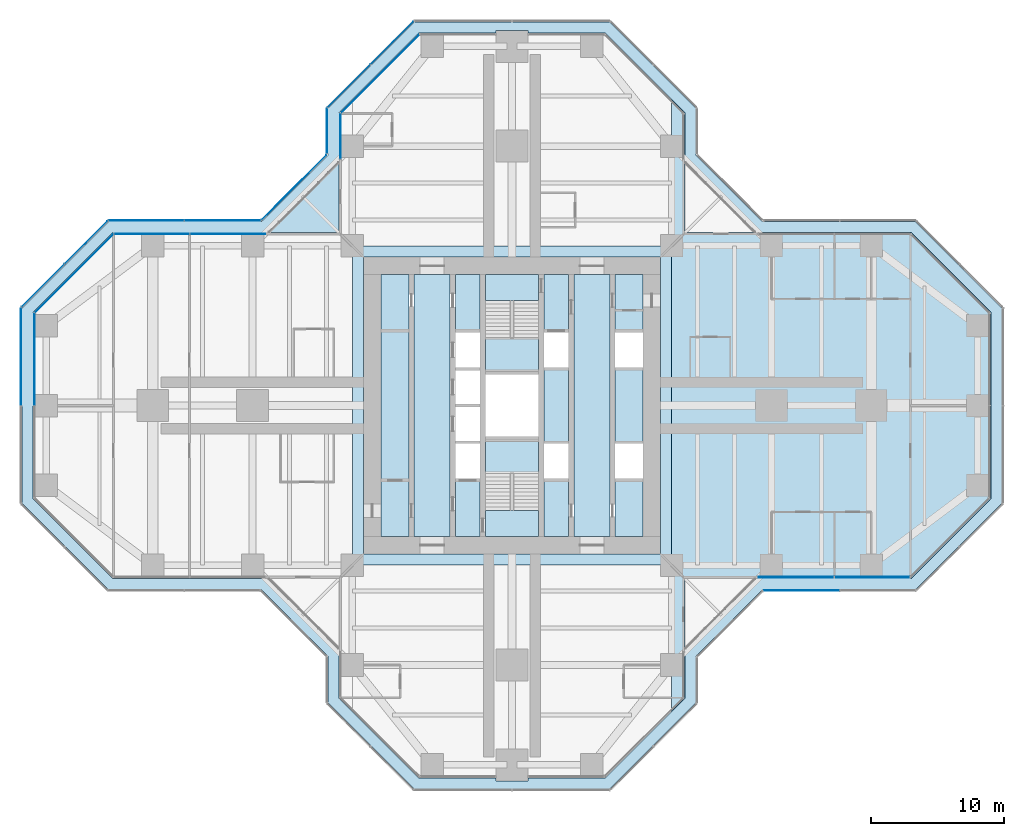
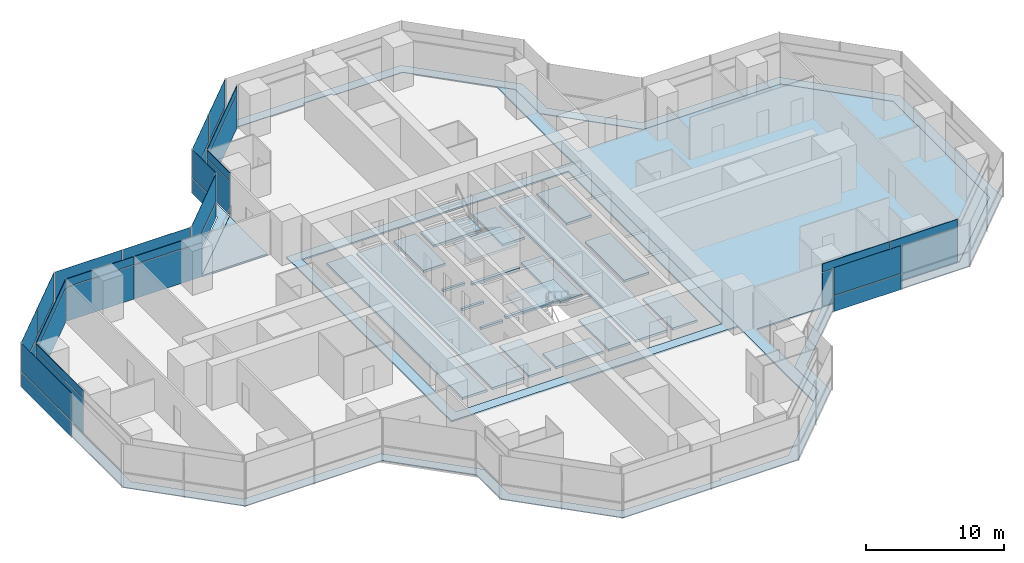
# One storey, part 13 of 20: 37 plates, 8 slabs, 15 elements without a shape of their own.
"""IFC4 building model written with IfcOpenShell, lengths in metres."""

from ifc_helpers import new_model, si_unit, direction, frame, origin, origin_2d, place, context, subcontext, project, spatial, polyline, rectangle, outline, extrude, material, layer, layer_set, type_object, element, aggregate, save


model = new_model("IFC4")

# Units and contexts
model_context = context("Model", 3, precision=1e-05, world=origin(), true_north=direction((0.0, 1.0)))
body_context = subcontext(model_context, "Body", "Model", "MODEL_VIEW")
ifc_project = project(units=[si_unit("LENGTHUNIT", "METRE"), si_unit("AREAUNIT", "SQUARE_METRE"), si_unit("VOLUMEUNIT", "CUBIC_METRE"), si_unit("PLANEANGLEUNIT", "RADIAN"), si_unit("MASSUNIT", "GRAM", prefix="KILO")], contexts=[model_context])

# Site, building, storey
site_placement = place(None, origin())
site = spatial("IfcSite", under=ifc_project, at=site_placement, CompositionType="ELEMENT")
building_placement = place(site_placement, origin())
building = spatial("IfcBuilding", under=site, at=building_placement, Name="Mizan Broadcast Tower", CompositionType="ELEMENT")
storey_placement = place(building_placement, frame((0.0, 0.0, 147.60009765625)))
storey = spatial("IfcBuildingStorey", under=building, at=storey_placement, Name="L33", CompositionType="ELEMENT", Elevation=147.60009765625)

# Plate
ifc_material_1 = material(Name="Aluminium grating", Category="aluminium")
ifc_layer_1 = layer(ifc_material_1, 0.050048828125)
ifc_layer_set_1 = layer_set([ifc_layer_1], Name="Aluminium grating")
plate_type_1 = type_object("IfcPlateType", Name="CAVITY GRATING", PredefinedType="USERDEFINED", material=ifc_layer_set_1)
plate_1_placement = place(storey_placement, frame((0.0, 0.0, -0.050048828125)))
element("IfcPlate", 1, at=plate_1_placement, inside=storey, type_object=plate_type_1, Name="Cavity grating L33", ObjectType="GRATING", PredefinedType="USERDEFINED", context=body_context, shape_type="SweptSolid", body=[
    extrude(outline(polyline([(13.820068359375, -18.839599609375), (18.839599609375, -13.820068359375), (30.339599609375, -13.820068359375), (36.820068359375, -7.339599609375), (36.820068359375, 7.339599609375), (30.339599609375, 13.820068359375), (18.839599609375, 13.820068359375), (13.820068359375, 18.839599609375), (13.820068359375, 22.339599609375), (7.339599609375, 28.820068359375), (-7.339599609375, 28.820068359375), (-13.820068359375, 22.339599609375), (-13.820068359375, 18.839599609375), (-18.839599609375, 13.820068359375), (-30.339599609375, 13.820068359375), (-36.820068359375, 7.339599609375), (-36.820068359375, -7.339599609375), (-30.339599609375, -13.820068359375), (-18.839599609375, -13.820068359375), (-13.820068359375, -18.839599609375), (-13.820068359375, -22.339599609375), (-7.339599609375, -28.820068359375), (7.339599609375, -28.820068359375), (13.820068359375, -22.339599609375), (13.820068359375, -18.839599609375)]), holes=[polyline([(36.0, 7.0), (36.0, -7.0), (30.0, -13.0), (18.5, -13.0), (13.0, -18.5), (13.0, -22.0), (7.0, -28.0), (1.199951171875, -28.0), (1.199951171875, -28.199951171875), (-1.199951171875, -28.199951171875), (-1.199951171875, -28.0), (-7.0, -28.0), (-13.0, -22.0), (-13.0, -18.5), (-18.5, -13.0), (-30.0, -13.0), (-36.0, -7.0), (-36.0, 7.0), (-30.0, 13.0), (-18.5, 13.0), (-13.0, 18.5), (-13.0, 22.0), (-7.0, 28.0), (-1.199951171875, 28.0), (-1.199951171875, 28.199951171875), (1.199951171875, 28.199951171875), (1.199951171875, 28.0), (7.0, 28.0), (13.0, 22.0), (13.0, 18.5), (18.5, 13.0), (30.0, 13.0), (36.0, 7.0)])]), origin(), (0.0, 0.0, 1.0), 0.050048828125),
])

# Slabs
ifc_material_2 = material(Name="Concrete C32/40", Category="concrete")
ifc_layer_2 = layer(ifc_material_2, 0.1298828125)
ifc_layer_set_2 = layer_set([ifc_layer_2], Name="Concrete C32/40")
slab_type_1 = type_object("IfcSlabType", Name="COMPOSITE DECK SLAB 130", PredefinedType="FLOOR", material=ifc_layer_set_2)
slab_1_placement = place(storey_placement, frame((0.0, 0.0, -0.130126953125)))
element("IfcSlab", 2, at=slab_1_placement, inside=storey, type_object=slab_type_1, Name="Floor slab L33 centre", PredefinedType="FLOOR", context=body_context, shape_type="SweptSolid", body=[
    extrude(outline(polyline([(-12.0, -12.0), (12.0, -12.0), (12.0, 12.0), (-12.0, 12.0), (-12.0, -12.0)]), holes=[polyline([(-11.14990234375, 11.14990234375), (11.14990234375, 11.14990234375), (11.14990234375, -11.14990234375), (-11.14990234375, -11.14990234375), (-11.14990234375, 11.14990234375)])]), origin(), (0.0, 0.0, 1.0), 0.130126953125),
])
slab_2_placement = place(storey_placement, frame((0.0, 0.0, -0.130126953125)))
element("IfcSlab", 3, at=slab_2_placement, inside=storey, type_object=slab_type_1, Name="Floor slab L33 east arm", PredefinedType="FLOOR", context=body_context, shape_type="SweptSolid", body=[
    extrude(outline(polyline([(12.0, -23.0), (13.0, -22.0), (13.0, -13.0), (30.0, -13.0), (36.0, -7.0), (36.0, 7.0), (30.0, 13.0), (13.0, 13.0), (13.0, 22.0), (12.0, 23.0), (12.0, -23.0)])), origin(), (0.0, 0.0, 1.0), 0.130126953125),
])
ifc_material_3 = material(Name="Concrete C40/50", Category="concrete")
ifc_layer_3 = layer(ifc_material_3, 0.199951171875)
ifc_layer_set_3 = layer_set([ifc_layer_3], Name="Concrete C40/50")
slab_type_2 = type_object("IfcSlabType", Name="CORE FLOOR 200", PredefinedType="FLOOR", material=ifc_layer_set_3)
slab_3_placement = place(storey_placement, frame((0.0, 0.0, -0.2001953125)))
element("IfcSlab", 4, at=slab_3_placement, inside=storey, type_object=slab_type_2, Name="Core floor L33", PredefinedType="FLOOR", context=body_context, shape_type="SweptSolid", body=[
    extrude(outline(polyline([(-9.85009765625, -9.85009765625), (-7.75, -9.85009765625), (-7.75, 9.85009765625), (-9.85009765625, 9.85009765625), (-9.85009765625, -9.85009765625)])), origin(), (0.0, 0.0, 1.0), 0.2001953125),
    extrude(outline(polyline([(-4.64990234375, 9.85009765625), (-7.35009765625, 9.85009765625), (-7.35009765625, -9.85009765625), (-4.64990234375, -9.85009765625), (-4.64990234375, 9.85009765625)])), origin(), (0.0, 0.0, 1.0), 0.2001953125),
    extrude(outline(polyline([(-4.25, -5.5), (-4.25, -9.85009765625), (-2.39990234375, -9.85009765625), (-2.39990234375, -5.5), (-4.25, -5.5)])), origin(), (0.0, 0.0, 1.0), 0.2001953125),
    extrude(outline(polyline([(-4.25, -2.85009765625), (-2.39990234375, -2.85009765625), (-2.39990234375, -2.64990234375), (-4.25, -2.64990234375), (-4.25, -2.85009765625)])), origin(), (0.0, 0.0, 1.0), 0.2001953125),
    extrude(outline(polyline([(-4.25, -0.10009765625), (-2.39990234375, -0.10009765625), (-2.39990234375, 0.10009765625), (-4.25, 0.10009765625), (-4.25, -0.10009765625)])), origin(), (0.0, 0.0, 1.0), 0.2001953125),
    extrude(outline(polyline([(-4.25, 2.64990234375), (-2.39990234375, 2.64990234375), (-2.39990234375, 2.85009765625), (-4.25, 2.85009765625), (-4.25, 2.64990234375)])), origin(), (0.0, 0.0, 1.0), 0.2001953125),
    extrude(outline(polyline([(-4.25, 5.5), (-2.39990234375, 5.5), (-2.39990234375, 9.85009765625), (-4.25, 9.85009765625), (-4.25, 5.5)])), origin(), (0.0, 0.0, 1.0), 0.2001953125),
    extrude(outline(polyline([(2.0, -2.324951171875), (-2.0, -2.324951171875), (-2.0, -2.574951171875), (2.0, -2.574951171875), (2.0, -2.324951171875)])), origin(), (0.0, 0.0, 1.0), 0.2001953125),
    extrude(outline(polyline([(2.0, 2.574951171875), (-2.0, 2.574951171875), (-2.0, 2.324951171875), (2.0, 2.324951171875), (2.0, 2.574951171875)])), origin(), (0.0, 0.0, 1.0), 0.2001953125),
    extrude(outline(polyline([(4.25, -9.85009765625), (4.25, -5.5), (2.39990234375, -5.5), (2.39990234375, -9.85009765625), (4.25, -9.85009765625)])), origin(), (0.0, 0.0, 1.0), 0.2001953125),
    extrude(outline(polyline([(4.25, -2.85009765625), (4.25, 2.85009765625), (2.39990234375, 2.85009765625), (2.39990234375, -2.85009765625), (4.25, -2.85009765625)])), origin(), (0.0, 0.0, 1.0), 0.2001953125),
    extrude(outline(polyline([(4.25, 5.5), (4.25, 9.85009765625), (2.39990234375, 9.85009765625), (2.39990234375, 5.5), (4.25, 5.5)])), origin(), (0.0, 0.0, 1.0), 0.2001953125),
    extrude(outline(polyline([(4.64990234375, 9.85009765625), (4.64990234375, -9.85009765625), (7.35009765625, -9.85009765625), (7.35009765625, 9.85009765625), (4.64990234375, 9.85009765625)])), origin(), (0.0, 0.0, 1.0), 0.2001953125),
    extrude(outline(polyline([(9.85009765625, -9.85009765625), (9.85009765625, -5.5), (7.75, -5.5), (7.75, -9.85009765625), (9.85009765625, -9.85009765625)])), origin(), (0.0, 0.0, 1.0), 0.2001953125),
    extrude(outline(polyline([(7.75, -2.85009765625), (9.85009765625, -2.85009765625), (9.85009765625, 2.85009765625), (7.75, 2.85009765625), (7.75, -2.85009765625)])), origin(), (0.0, 0.0, 1.0), 0.2001953125),
    extrude(outline(polyline([(9.85009765625, 5.5), (9.85009765625, 9.85009765625), (7.75, 9.85009765625), (7.75, 5.5), (9.85009765625, 5.5)])), origin(), (0.0, 0.0, 1.0), 0.2001953125),
])

# Curtain wall, plates
ifc_material_4 = material(Name="Aluminium framed glazing", Category="aluminium")
curtain_wall_type_1 = type_object("IfcCurtainWallType", Name="INNER SKIN MID ZONE", PredefinedType="USERDEFINED", material=ifc_material_4)
curtain_wall_1_placement = place(storey_placement, origin())
curtain_wall_1 = element("IfcCurtainWall", 5, at=curtain_wall_1_placement, inside=storey, type_object=curtain_wall_type_1, Name="Inner skin mid zone L33 E side", ObjectType="INNER SKIN MID ZONE", PredefinedType="USERDEFINED")
ifc_material_5 = material(Name="Double glazing, clear low-e", Category="glass")
ifc_layer_4 = layer(ifc_material_5, 0.028076171875)
ifc_layer_set_4 = layer_set([ifc_layer_4], Name="Double glazing, clear low-e")
plate_type_2 = type_object("IfcPlateType", Name="INNER SKIN GLAZING UNIT", PredefinedType="CURTAIN_PANEL", material=ifc_layer_set_4)
plate_2_placement = place(storey_placement, frame((21.379638671875, -12.89990234375, 0.0), z_axis=(0.0, 0.0, 1.0), x_axis=(1.0, 0.0, 0.0)))
plate_2 = element("IfcPlate", 6, at=plate_2_placement, type_object=plate_type_2, Name="Inner skin mid zone L33 E side panel 1.1", PredefinedType="CURTAIN_PANEL", context=body_context, shape_type="SweptSolid", body=[
    extrude(rectangle(XDim=5.639404296875, YDim=0.028076171875, at=origin_2d()), origin(), (0.0, 0.0, 1.0), 3.0),
])
plate_3_placement = place(storey_placement, frame((27.078857421875, -12.89990234375, 0.0), z_axis=(0.0, 0.0, 1.0), x_axis=(1.0, 0.0, 0.0)))
plate_3 = element("IfcPlate", 7, at=plate_3_placement, type_object=plate_type_2, Name="Inner skin mid zone L33 E side panel 2.1", PredefinedType="CURTAIN_PANEL", context=body_context, shape_type="SweptSolid", body=[
    extrude(rectangle(XDim=5.639404296875, YDim=0.028076171875, at=origin_2d()), origin(), (0.0, 0.0, 1.0), 3.0),
])

# Curtain wall, plate
curtain_wall_2_placement = place(storey_placement, origin())
curtain_wall_2 = element("IfcCurtainWall", 8, at=curtain_wall_2_placement, inside=storey, type_object=curtain_wall_type_1, Name="Inner skin mid zone L33 N chamfer", ObjectType="INNER SKIN MID ZONE", PredefinedType="USERDEFINED")
plate_4_placement = place(storey_placement, frame((-9.92919921875, 24.92919921875, 0.0), z_axis=(0.0, 0.0, 1.0), x_axis=(-0.707106781187, -0.707106781187, 0.0)))
plate_4 = element("IfcPlate", 9, at=plate_4_placement, type_object=plate_type_2, Name="Inner skin mid zone L33 N chamfer panel 1.1", PredefinedType="CURTAIN_PANEL", context=body_context, shape_type="SweptSolid", body=[
    extrude(rectangle(XDim=8.282470703125, YDim=0.028076171875, at=origin_2d()), origin(), (0.0, 0.0, 1.0), 3.0),
])

curtain_wall_3_placement = place(storey_placement, origin())
curtain_wall_3 = element("IfcCurtainWall", 10, at=curtain_wall_3_placement, inside=storey, type_object=curtain_wall_type_1, Name="Inner skin mid zone L33 N side", ObjectType="INNER SKIN MID ZONE", PredefinedType="USERDEFINED")
plate_5_placement = place(storey_placement, frame((-12.89990234375, 20.229248046875, 0.0), z_axis=(0.0, 0.0, 1.0), x_axis=(0.0, -1.0, 0.0)))
plate_5 = element("IfcPlate", 11, at=plate_5_placement, type_object=plate_type_2, Name="Inner skin mid zone L33 N side panel 1.1", PredefinedType="CURTAIN_PANEL", context=body_context, shape_type="SweptSolid", body=[
    extrude(rectangle(XDim=3.338623046875, YDim=0.028076171875, at=origin_2d()), origin(), (0.0, 0.0, 1.0), 3.0),
])

# Curtain wall, plates
curtain_wall_4_placement = place(storey_placement, origin())
curtain_wall_4 = element("IfcCurtainWall", 12, at=curtain_wall_4_placement, inside=storey, type_object=curtain_wall_type_1, Name="Inner skin mid zone L33 W side", ObjectType="INNER SKIN MID ZONE", PredefinedType="USERDEFINED")
plate_6_placement = place(storey_placement, frame((-21.379638671875, 12.89990234375, 0.0), z_axis=(0.0, 0.0, 1.0), x_axis=(-1.0, 0.0, 0.0)))
plate_6 = element("IfcPlate", 13, at=plate_6_placement, type_object=plate_type_2, Name="Inner skin mid zone L33 W side panel 1.1", PredefinedType="CURTAIN_PANEL", context=body_context, shape_type="SweptSolid", body=[
    extrude(rectangle(XDim=5.639404296875, YDim=0.028076171875, at=origin_2d()), origin(), (0.0, 0.0, 1.0), 3.0),
])
plate_7_placement = place(storey_placement, frame((-27.078857421875, 12.89990234375, 0.0), z_axis=(0.0, 0.0, 1.0), x_axis=(-1.0, 0.0, 0.0)))
plate_7 = element("IfcPlate", 14, at=plate_7_placement, type_object=plate_type_2, Name="Inner skin mid zone L33 W side panel 2.1", PredefinedType="CURTAIN_PANEL", context=body_context, shape_type="SweptSolid", body=[
    extrude(rectangle(XDim=5.639404296875, YDim=0.028076171875, at=origin_2d()), origin(), (0.0, 0.0, 1.0), 3.0),
])

# Curtain wall, plate
curtain_wall_5_placement = place(storey_placement, origin())
curtain_wall_5 = element("IfcCurtainWall", 15, at=curtain_wall_5_placement, inside=storey, type_object=curtain_wall_type_1, Name="Inner skin mid zone L33 W chamfer", ObjectType="INNER SKIN MID ZONE", PredefinedType="USERDEFINED")
plate_8_placement = place(storey_placement, frame((-32.92919921875, 9.92919921875, 0.0), z_axis=(0.0, 0.0, 1.0), x_axis=(-0.707106781187, -0.707106781187, 0.0)))
plate_8 = element("IfcPlate", 16, at=plate_8_placement, type_object=plate_type_2, Name="Inner skin mid zone L33 W chamfer panel 1.1", PredefinedType="CURTAIN_PANEL", context=body_context, shape_type="SweptSolid", body=[
    extrude(rectangle(XDim=8.282470703125, YDim=0.028076171875, at=origin_2d()), origin(), (0.0, 0.0, 1.0), 3.0),
])

curtain_wall_6_placement = place(storey_placement, origin())
curtain_wall_6 = element("IfcCurtainWall", 17, at=curtain_wall_6_placement, inside=storey, type_object=curtain_wall_type_1, Name="Inner skin mid zone L33 W end", ObjectType="INNER SKIN MID ZONE", PredefinedType="USERDEFINED")
plate_9_placement = place(storey_placement, frame((-35.89990234375, 3.46435546875, 0.0), z_axis=(0.0, 0.0, 1.0), x_axis=(0.0, -1.0, 0.0)))
plate_9 = element("IfcPlate", 18, at=plate_9_placement, type_object=plate_type_2, Name="Inner skin mid zone L33 W end panel 1.1", PredefinedType="CURTAIN_PANEL", context=body_context, shape_type="SweptSolid", body=[
    extrude(rectangle(XDim=6.86865234375, YDim=0.028076171875, at=origin_2d()), origin(), (0.0, 0.0, 1.0), 3.0),
])

# Plate
ifc_material_6 = material(Name="Insulated aluminium spandrel panel, pale anodised", Category="aluminium")
ifc_layer_5 = layer(ifc_material_6, 0.050048828125)
ifc_layer_set_5 = layer_set([ifc_layer_5], Name="Insulated aluminium spandrel panel, pale anodised")
plate_type_3 = type_object("IfcPlateType", Name="INNER SKIN SPANDREL PANEL", PredefinedType="CURTAIN_PANEL", material=ifc_layer_set_5)
plate_10_placement = place(storey_placement, frame((21.379638671875, -12.89990234375, 3.059814453125), z_axis=(0.0, 0.0, 1.0), x_axis=(1.0, 0.0, 0.0)))
plate_10 = element("IfcPlate", 19, at=plate_10_placement, type_object=plate_type_3, Name="Inner skin mid zone L33 E side panel 1.2", PredefinedType="CURTAIN_PANEL", context=body_context, shape_type="SweptSolid", body=[
    extrude(rectangle(XDim=5.639404296875, YDim=0.050048828125, at=origin_2d()), origin(), (0.0, 0.0, 1.0), 0.7099609375),
])

plate_11_placement = place(storey_placement, frame((27.078857421875, -12.89990234375, 3.059814453125), z_axis=(0.0, 0.0, 1.0), x_axis=(1.0, 0.0, 0.0)))
plate_11 = element("IfcPlate", 20, at=plate_11_placement, type_object=plate_type_3, Name="Inner skin mid zone L33 E side panel 2.2", PredefinedType="CURTAIN_PANEL", context=body_context, shape_type="SweptSolid", body=[
    extrude(rectangle(XDim=5.639404296875, YDim=0.050048828125, at=origin_2d()), origin(), (0.0, 0.0, 1.0), 0.7099609375),
])

aggregate(curtain_wall_1, [plate_2, plate_10, plate_3, plate_11])

plate_12_placement = place(storey_placement, frame((-9.92919921875, 24.92919921875, 3.059814453125), z_axis=(0.0, 0.0, 1.0), x_axis=(-0.707106781187, -0.707106781187, 0.0)))
plate_12 = element("IfcPlate", 21, at=plate_12_placement, type_object=plate_type_3, Name="Inner skin mid zone L33 N chamfer panel 1.2", PredefinedType="CURTAIN_PANEL", context=body_context, shape_type="SweptSolid", body=[
    extrude(rectangle(XDim=8.282470703125, YDim=0.050048828125, at=origin_2d()), origin(), (0.0, 0.0, 1.0), 0.7099609375),
])

aggregate(curtain_wall_2, [plate_4, plate_12])

plate_13_placement = place(storey_placement, frame((-12.89990234375, 20.229248046875, 3.059814453125), z_axis=(0.0, 0.0, 1.0), x_axis=(0.0, -1.0, 0.0)))
plate_13 = element("IfcPlate", 22, at=plate_13_placement, type_object=plate_type_3, Name="Inner skin mid zone L33 N side panel 1.2", PredefinedType="CURTAIN_PANEL", context=body_context, shape_type="SweptSolid", body=[
    extrude(rectangle(XDim=3.338623046875, YDim=0.050048828125, at=origin_2d()), origin(), (0.0, 0.0, 1.0), 0.7099609375),
])

aggregate(curtain_wall_3, [plate_5, plate_13])

plate_14_placement = place(storey_placement, frame((-21.379638671875, 12.89990234375, 3.059814453125), z_axis=(0.0, 0.0, 1.0), x_axis=(-1.0, 0.0, 0.0)))
plate_14 = element("IfcPlate", 23, at=plate_14_placement, type_object=plate_type_3, Name="Inner skin mid zone L33 W side panel 1.2", PredefinedType="CURTAIN_PANEL", context=body_context, shape_type="SweptSolid", body=[
    extrude(rectangle(XDim=5.639404296875, YDim=0.050048828125, at=origin_2d()), origin(), (0.0, 0.0, 1.0), 0.7099609375),
])

plate_15_placement = place(storey_placement, frame((-27.078857421875, 12.89990234375, 3.059814453125), z_axis=(0.0, 0.0, 1.0), x_axis=(-1.0, 0.0, 0.0)))
plate_15 = element("IfcPlate", 24, at=plate_15_placement, type_object=plate_type_3, Name="Inner skin mid zone L33 W side panel 2.2", PredefinedType="CURTAIN_PANEL", context=body_context, shape_type="SweptSolid", body=[
    extrude(rectangle(XDim=5.639404296875, YDim=0.050048828125, at=origin_2d()), origin(), (0.0, 0.0, 1.0), 0.7099609375),
])

aggregate(curtain_wall_4, [plate_6, plate_14, plate_7, plate_15])

plate_16_placement = place(storey_placement, frame((-32.92919921875, 9.92919921875, 3.059814453125), z_axis=(0.0, 0.0, 1.0), x_axis=(-0.707106781187, -0.707106781187, 0.0)))
plate_16 = element("IfcPlate", 25, at=plate_16_placement, type_object=plate_type_3, Name="Inner skin mid zone L33 W chamfer panel 1.2", PredefinedType="CURTAIN_PANEL", context=body_context, shape_type="SweptSolid", body=[
    extrude(rectangle(XDim=8.282470703125, YDim=0.050048828125, at=origin_2d()), origin(), (0.0, 0.0, 1.0), 0.7099609375),
])

aggregate(curtain_wall_5, [plate_8, plate_16])

plate_17_placement = place(storey_placement, frame((-35.89990234375, 3.46435546875, 3.059814453125), z_axis=(0.0, 0.0, 1.0), x_axis=(0.0, -1.0, 0.0)))
plate_17 = element("IfcPlate", 26, at=plate_17_placement, type_object=plate_type_3, Name="Inner skin mid zone L33 W end panel 1.2", PredefinedType="CURTAIN_PANEL", context=body_context, shape_type="SweptSolid", body=[
    extrude(rectangle(XDim=6.86865234375, YDim=0.050048828125, at=origin_2d()), origin(), (0.0, 0.0, 1.0), 0.7099609375),
])

aggregate(curtain_wall_6, [plate_9, plate_17])

# Curtain wall, plates
ifc_material_7 = material(Name="Aluminium framed glazing", Category="aluminium")
curtain_wall_type_2 = type_object("IfcCurtainWallType", Name="OUTER SKIN", PredefinedType="USERDEFINED", material=ifc_material_7)
curtain_wall_7_placement = place(storey_placement, origin())
curtain_wall_7 = element("IfcCurtainWall", 27, at=curtain_wall_7_placement, inside=storey, type_object=curtain_wall_type_2, Name="Outer skin L33 N chamfer", ObjectType="OUTER SKIN", PredefinedType="USERDEFINED")
ifc_material_8 = material(Name="Laminated clear glass", Category="glass")
ifc_layer_6 = layer(ifc_material_8, 0.02001953125)
ifc_layer_set_6 = layer_set([ifc_layer_6], Name="Laminated clear glass")
plate_type_4 = type_object("IfcPlateType", Name="OUTER SKIN CLEAR GLASS", PredefinedType="CURTAIN_PANEL", material=ifc_layer_set_6)
plate_18_placement = place(storey_placement, frame((-9.018798828125, 27.254150390625, -0.000244140625), z_axis=(0.0, 0.0, 1.0), x_axis=(-0.707106781187, -0.707106781187, 0.0)))
plate_18 = element("IfcPlate", 28, at=plate_18_placement, type_object=plate_type_4, Name="Outer skin L33 N chamfer panel 1.1", PredefinedType="CURTAIN_PANEL", context=body_context, shape_type="SweptSolid", body=[
    extrude(rectangle(XDim=4.495361328125, YDim=0.02001953125, at=origin_2d()), origin(), (0.0, 0.0, 1.0), 1.3701171875),
])
plate_19_placement = place(storey_placement, frame((-9.018798828125, 27.254150390625, 1.4296875), z_axis=(0.0, 0.0, 1.0), x_axis=(-0.707106781187, -0.707106781187, 0.0)))
plate_19 = element("IfcPlate", 29, at=plate_19_placement, type_object=plate_type_4, Name="Outer skin L33 N chamfer panel 1.2", PredefinedType="CURTAIN_PANEL", context=body_context, shape_type="SweptSolid", body=[
    extrude(rectangle(XDim=4.495361328125, YDim=0.02001953125, at=origin_2d()), origin(), (0.0, 0.0, 1.0), 2.469970703125),
])

curtain_wall_8_placement = place(storey_placement, origin())
curtain_wall_8 = element("IfcCurtainWall", 30, at=curtain_wall_8_placement, inside=storey, type_object=curtain_wall_type_2, Name="Outer skin L33 N side", ObjectType="OUTER SKIN", PredefinedType="USERDEFINED")
plate_20_placement = place(storey_placement, frame((-13.89990234375, 20.622802734375, -0.000244140625), z_axis=(0.0, 0.0, 1.0), x_axis=(0.0, -1.0, 0.0)))
plate_20 = element("IfcPlate", 31, at=plate_20_placement, type_object=plate_type_4, Name="Outer skin L33 N side panel 1.1", PredefinedType="CURTAIN_PANEL", context=body_context, shape_type="SweptSolid", body=[
    extrude(rectangle(XDim=3.340087890625, YDim=0.02001953125, at=origin_2d()), origin(), (0.0, 0.0, 1.0), 1.3701171875),
])
plate_21_placement = place(storey_placement, frame((-13.89990234375, 20.622802734375, 1.4296875), z_axis=(0.0, 0.0, 1.0), x_axis=(0.0, -1.0, 0.0)))
plate_21 = element("IfcPlate", 32, at=plate_21_placement, type_object=plate_type_4, Name="Outer skin L33 N side panel 1.2", PredefinedType="CURTAIN_PANEL", context=body_context, shape_type="SweptSolid", body=[
    extrude(rectangle(XDim=3.340087890625, YDim=0.02001953125, at=origin_2d()), origin(), (0.0, 0.0, 1.0), 2.469970703125),
])
aggregate(curtain_wall_8, [plate_20, plate_21])

curtain_wall_9_placement = place(storey_placement, origin())
curtain_wall_9 = element("IfcCurtainWall", 33, at=curtain_wall_9_placement, inside=storey, type_object=curtain_wall_type_2, Name="Outer skin L33 W chamfer", ObjectType="OUTER SKIN", PredefinedType="USERDEFINED")
plate_22_placement = place(storey_placement, frame((-16.386474609375, 16.386474609375, -0.000244140625), z_axis=(0.0, 0.0, 1.0), x_axis=(-0.707106781187, -0.707106781187, 0.0)))
plate_22 = element("IfcPlate", 34, at=plate_22_placement, type_object=plate_type_4, Name="Outer skin L33 W chamfer panel 1.1", PredefinedType="CURTAIN_PANEL", context=body_context, shape_type="SweptSolid", body=[
    extrude(rectangle(XDim=6.87255859375, YDim=0.02001953125, at=origin_2d()), origin(), (0.0, 0.0, 1.0), 1.3701171875),
])
plate_23_placement = place(storey_placement, frame((-16.386474609375, 16.386474609375, 1.4296875), z_axis=(0.0, 0.0, 1.0), x_axis=(-0.707106781187, -0.707106781187, 0.0)))
plate_23 = element("IfcPlate", 35, at=plate_23_placement, type_object=plate_type_4, Name="Outer skin L33 W chamfer panel 1.2", PredefinedType="CURTAIN_PANEL", context=body_context, shape_type="SweptSolid", body=[
    extrude(rectangle(XDim=6.87255859375, YDim=0.02001953125, at=origin_2d()), origin(), (0.0, 0.0, 1.0), 2.469970703125),
])
aggregate(curtain_wall_9, [plate_22, plate_23])

curtain_wall_10_placement = place(storey_placement, origin())
curtain_wall_10 = element("IfcCurtainWall", 36, at=curtain_wall_10_placement, inside=storey, type_object=curtain_wall_type_2, Name="Outer skin L33 W side", ObjectType="OUTER SKIN", PredefinedType="USERDEFINED")
plate_24_placement = place(storey_placement, frame((-21.767822265625, 13.89990234375, -0.000244140625), z_axis=(0.0, 0.0, 1.0), x_axis=(-1.0, 0.0, 0.0)))
plate_24 = element("IfcPlate", 37, at=plate_24_placement, type_object=plate_type_4, Name="Outer skin L33 W side panel 1.1", PredefinedType="CURTAIN_PANEL", context=body_context, shape_type="SweptSolid", body=[
    extrude(rectangle(XDim=5.6298828125, YDim=0.02001953125, at=origin_2d()), origin(), (0.0, 0.0, 1.0), 1.3701171875),
])
plate_25_placement = place(storey_placement, frame((-21.767822265625, 13.89990234375, 1.4296875), z_axis=(0.0, 0.0, 1.0), x_axis=(-1.0, 0.0, 0.0)))
plate_25 = element("IfcPlate", 38, at=plate_25_placement, type_object=plate_type_4, Name="Outer skin L33 W side panel 1.2", PredefinedType="CURTAIN_PANEL", context=body_context, shape_type="SweptSolid", body=[
    extrude(rectangle(XDim=5.6298828125, YDim=0.02001953125, at=origin_2d()), origin(), (0.0, 0.0, 1.0), 2.469970703125),
])
plate_26_placement = place(storey_placement, frame((-27.477783203125, 13.89990234375, -0.000244140625), z_axis=(0.0, 0.0, 1.0), x_axis=(-1.0, 0.0, 0.0)))
plate_26 = element("IfcPlate", 39, at=plate_26_placement, type_object=plate_type_4, Name="Outer skin L33 W side panel 2.1", PredefinedType="CURTAIN_PANEL", context=body_context, shape_type="SweptSolid", body=[
    extrude(rectangle(XDim=5.6298828125, YDim=0.02001953125, at=origin_2d()), origin(), (0.0, 0.0, 1.0), 1.3701171875),
])
plate_27_placement = place(storey_placement, frame((-27.477783203125, 13.89990234375, 1.4296875), z_axis=(0.0, 0.0, 1.0), x_axis=(-1.0, 0.0, 0.0)))
plate_27 = element("IfcPlate", 40, at=plate_27_placement, type_object=plate_type_4, Name="Outer skin L33 W side panel 2.2", PredefinedType="CURTAIN_PANEL", context=body_context, shape_type="SweptSolid", body=[
    extrude(rectangle(XDim=5.6298828125, YDim=0.02001953125, at=origin_2d()), origin(), (0.0, 0.0, 1.0), 2.469970703125),
])
aggregate(curtain_wall_10, [plate_24, plate_25, plate_26, plate_27])

curtain_wall_11_placement = place(storey_placement, origin())
curtain_wall_11 = element("IfcCurtainWall", 41, at=curtain_wall_11_placement, inside=storey, type_object=curtain_wall_type_2, Name="Outer skin L33 W chamfer", ObjectType="OUTER SKIN", PredefinedType="USERDEFINED")
plate_28_placement = place(storey_placement, frame((-32.018798828125, 12.254150390625, -0.000244140625), z_axis=(0.0, 0.0, 1.0), x_axis=(-0.707106781187, -0.707106781187, 0.0)))
plate_28 = element("IfcPlate", 42, at=plate_28_placement, type_object=plate_type_4, Name="Outer skin L33 W chamfer panel 1.1", PredefinedType="CURTAIN_PANEL", context=body_context, shape_type="SweptSolid", body=[
    extrude(rectangle(XDim=4.495361328125, YDim=0.02001953125, at=origin_2d()), origin(), (0.0, 0.0, 1.0), 1.3701171875),
])
plate_29_placement = place(storey_placement, frame((-32.018798828125, 12.254150390625, 1.4296875), z_axis=(0.0, 0.0, 1.0), x_axis=(-0.707106781187, -0.707106781187, 0.0)))
plate_29 = element("IfcPlate", 43, at=plate_29_placement, type_object=plate_type_4, Name="Outer skin L33 W chamfer panel 1.2", PredefinedType="CURTAIN_PANEL", context=body_context, shape_type="SweptSolid", body=[
    extrude(rectangle(XDim=4.495361328125, YDim=0.02001953125, at=origin_2d()), origin(), (0.0, 0.0, 1.0), 2.469970703125),
])

curtain_wall_12_placement = place(storey_placement, origin())
curtain_wall_12 = element("IfcCurtainWall", 44, at=curtain_wall_12_placement, inside=storey, type_object=curtain_wall_type_2, Name="Outer skin L33 W end", ObjectType="OUTER SKIN", PredefinedType="USERDEFINED")
plate_30_placement = place(storey_placement, frame((-36.89990234375, 3.66650390625, -0.000244140625), z_axis=(0.0, 0.0, 1.0), x_axis=(0.0, -1.0, 0.0)))
plate_30 = element("IfcPlate", 45, at=plate_30_placement, type_object=plate_type_4, Name="Outer skin L33 W end panel 1.1", PredefinedType="CURTAIN_PANEL", context=body_context, shape_type="SweptSolid", body=[
    extrude(rectangle(XDim=7.252685546875, YDim=0.02001953125, at=origin_2d()), origin(), (0.0, 0.0, 1.0), 1.3701171875),
])
plate_31_placement = place(storey_placement, frame((-36.89990234375, 3.66650390625, 1.4296875), z_axis=(0.0, 0.0, 1.0), x_axis=(0.0, -1.0, 0.0)))
plate_31 = element("IfcPlate", 46, at=plate_31_placement, type_object=plate_type_4, Name="Outer skin L33 W end panel 1.2", PredefinedType="CURTAIN_PANEL", context=body_context, shape_type="SweptSolid", body=[
    extrude(rectangle(XDim=7.252685546875, YDim=0.02001953125, at=origin_2d()), origin(), (0.0, 0.0, 1.0), 2.469970703125),
])
aggregate(curtain_wall_12, [plate_30, plate_31])

curtain_wall_13_placement = place(storey_placement, origin())
curtain_wall_13 = element("IfcCurtainWall", 47, at=curtain_wall_13_placement, inside=storey, type_object=curtain_wall_type_2, Name="Outer skin L33 E side", ObjectType="OUTER SKIN", PredefinedType="USERDEFINED")
plate_32_placement = place(storey_placement, frame((21.767822265625, -13.89990234375, -0.000244140625), z_axis=(0.0, 0.0, 1.0), x_axis=(1.0, 0.0, 0.0)))
plate_32 = element("IfcPlate", 48, at=plate_32_placement, type_object=plate_type_4, Name="Outer skin L33 E side panel 1.1", PredefinedType="CURTAIN_PANEL", context=body_context, shape_type="SweptSolid", body=[
    extrude(rectangle(XDim=5.6298828125, YDim=0.02001953125, at=origin_2d()), origin(), (0.0, 0.0, 1.0), 1.3701171875),
])
plate_33_placement = place(storey_placement, frame((21.767822265625, -13.89990234375, 1.4296875), z_axis=(0.0, 0.0, 1.0), x_axis=(1.0, 0.0, 0.0)))
plate_33 = element("IfcPlate", 49, at=plate_33_placement, type_object=plate_type_4, Name="Outer skin L33 E side panel 1.2", PredefinedType="CURTAIN_PANEL", context=body_context, shape_type="SweptSolid", body=[
    extrude(rectangle(XDim=5.6298828125, YDim=0.02001953125, at=origin_2d()), origin(), (0.0, 0.0, 1.0), 2.469970703125),
])
aggregate(curtain_wall_13, [plate_32, plate_33])

# Plate
ifc_material_9 = material(Name="Perforated aluminium, pale anodised", Category="aluminium")
ifc_layer_7 = layer(ifc_material_9, 0.011962890625)
ifc_layer_set_7 = layer_set([ifc_layer_7], Name="Perforated aluminium, pale anodised")
plate_type_5 = type_object("IfcPlateType", Name="OUTER SKIN PERFORATED SCREEN", PredefinedType="USERDEFINED", material=ifc_layer_set_7)
plate_34_placement = place(storey_placement, frame((-12.254150390625, 24.018798828125, -0.000244140625), z_axis=(0.0, 0.0, 1.0), x_axis=(-0.707106781187, -0.707106781187, 0.0)))
plate_34 = element("IfcPlate", 50, at=plate_34_placement, type_object=plate_type_5, Name="Outer skin L33 N chamfer panel 2.1", ObjectType="SCREEN", PredefinedType="USERDEFINED", context=body_context, shape_type="SweptSolid", body=[
    extrude(rectangle(XDim=4.495361328125, YDim=0.011962890625, at=origin_2d()), origin(), (0.0, 0.0, 1.0), 1.3701171875),
])

plate_35_placement = place(storey_placement, frame((-12.254150390625, 24.018798828125, 1.4296875), z_axis=(0.0, 0.0, 1.0), x_axis=(-0.707106781187, -0.707106781187, 0.0)))
plate_35 = element("IfcPlate", 51, at=plate_35_placement, type_object=plate_type_5, Name="Outer skin L33 N chamfer panel 2.2", ObjectType="SCREEN", PredefinedType="USERDEFINED", context=body_context, shape_type="SweptSolid", body=[
    extrude(rectangle(XDim=4.495361328125, YDim=0.011962890625, at=origin_2d()), origin(), (0.0, 0.0, 1.0), 2.469970703125),
])

aggregate(curtain_wall_7, [plate_18, plate_19, plate_34, plate_35])

plate_36_placement = place(storey_placement, frame((-35.254150390625, 9.018798828125, -0.000244140625), z_axis=(0.0, 0.0, 1.0), x_axis=(-0.707106781187, -0.707106781187, 0.0)))
plate_36 = element("IfcPlate", 52, at=plate_36_placement, type_object=plate_type_5, Name="Outer skin L33 W chamfer panel 2.1", ObjectType="SCREEN", PredefinedType="USERDEFINED", context=body_context, shape_type="SweptSolid", body=[
    extrude(rectangle(XDim=4.495361328125, YDim=0.011962890625, at=origin_2d()), origin(), (0.0, 0.0, 1.0), 1.3701171875),
])

plate_37_placement = place(storey_placement, frame((-35.254150390625, 9.018798828125, 1.4296875), z_axis=(0.0, 0.0, 1.0), x_axis=(-0.707106781187, -0.707106781187, 0.0)))
plate_37 = element("IfcPlate", 53, at=plate_37_placement, type_object=plate_type_5, Name="Outer skin L33 W chamfer panel 2.2", ObjectType="SCREEN", PredefinedType="USERDEFINED", context=body_context, shape_type="SweptSolid", body=[
    extrude(rectangle(XDim=4.495361328125, YDim=0.011962890625, at=origin_2d()), origin(), (0.0, 0.0, 1.0), 2.469970703125),
])

aggregate(curtain_wall_11, [plate_28, plate_29, plate_36, plate_37])

# Stair, slabs
ifc_material_10 = material(Name="Concrete C40/50", Category="concrete")
stair_type = type_object("IfcStairType", Name="EXIT STAIR", PredefinedType="HALF_TURN_STAIR", material=ifc_material_10)
stair_1_placement = place(storey_placement, origin())
stair_1 = element("IfcStair", 54, at=stair_1_placement, inside=storey, type_object=stair_type, Name="Stair A L33", PredefinedType="HALF_TURN_STAIR")
ifc_material_11 = material(Name="Concrete C40/50", Category="concrete")
ifc_layer_8 = layer(ifc_material_11, 0.199951171875)
ifc_layer_set_8 = layer_set([ifc_layer_8], Name="Concrete C40/50")
slab_type_3 = type_object("IfcSlabType", Name="STAIR LANDING 200", PredefinedType="LANDING", material=ifc_layer_set_8)
slab_4_placement = place(storey_placement, frame((0.0, 0.0, -0.2001953125)))
slab_4 = element("IfcSlab", 55, at=slab_4_placement, type_object=slab_type_3, Name="A landing 1", PredefinedType="LANDING", context=body_context, shape_type="SweptSolid", body=[
    extrude(outline(polyline([(-2.0, -9.85009765625), (-2.0, -7.89990234375), (2.0, -7.89990234375), (2.0, -9.85009765625), (-2.0, -9.85009765625)])), origin(), (0.0, 0.0, 1.0), 0.2001953125),
])
slab_5_placement = place(storey_placement, frame((0.0, 0.0, 1.75)))
slab_5 = element("IfcSlab", 56, at=slab_5_placement, type_object=slab_type_3, Name="A landing 2", PredefinedType="LANDING", context=body_context, shape_type="SweptSolid", body=[
    extrude(outline(polyline([(-2.0, -5.10009765625), (-2.0, -2.574951171875), (2.0, -2.574951171875), (2.0, -5.10009765625), (-2.0, -5.10009765625)])), origin(), (0.0, 0.0, 1.0), 0.199951171875),
])
aggregate(stair_1, [slab_4, slab_5])

stair_2_placement = place(storey_placement, origin())
stair_2 = element("IfcStair", 57, at=stair_2_placement, inside=storey, type_object=stair_type, Name="Stair B L33", PredefinedType="HALF_TURN_STAIR")
slab_6_placement = place(storey_placement, frame((0.0, 0.0, -0.2001953125)))
slab_6 = element("IfcSlab", 58, at=slab_6_placement, type_object=slab_type_3, Name="B landing 1", PredefinedType="LANDING", context=body_context, shape_type="SweptSolid", body=[
    extrude(outline(polyline([(2.0, 9.85009765625), (2.0, 7.89990234375), (-2.0, 7.89990234375), (-2.0, 9.85009765625), (2.0, 9.85009765625)])), origin(), (0.0, 0.0, 1.0), 0.2001953125),
])
slab_7_placement = place(storey_placement, frame((0.0, 0.0, 1.75)))
slab_7 = element("IfcSlab", 59, at=slab_7_placement, type_object=slab_type_3, Name="B landing 2", PredefinedType="LANDING", context=body_context, shape_type="SweptSolid", body=[
    extrude(outline(polyline([(2.0, 5.10009765625), (2.0, 2.574951171875), (-2.0, 2.574951171875), (-2.0, 5.10009765625), (2.0, 5.10009765625)])), origin(), (0.0, 0.0, 1.0), 0.199951171875),
])
aggregate(stair_2, [slab_6, slab_7])

# Slab
ifc_material_12 = material(Name="Concrete C32/40", Category="concrete")
ifc_layer_9 = layer(ifc_material_12, 0.1298828125)
ifc_layer_set_9 = layer_set([ifc_layer_9], Name="Concrete C32/40")
slab_type_4 = type_object("IfcSlabType", Name="WINTER GARDEN SLAB 130", PredefinedType="FLOOR", material=ifc_layer_set_9)
slab_8_placement = place(storey_placement, frame((0.0, 0.0, -0.130126953125)))
element("IfcSlab", 60, at=slab_8_placement, inside=storey, type_object=slab_type_4, Name="Winter garden slab L33 N", PredefinedType="FLOOR", context=body_context, shape_type="SweptSolid", body=[
    extrude(outline(polyline([(-13.0, 13.0), (-13.0, 18.5), (-18.5, 13.0), (-13.0, 13.0)])), origin(), (0.0, 0.0, 1.0), 0.130126953125),
])

save(model, "model.ifc")
